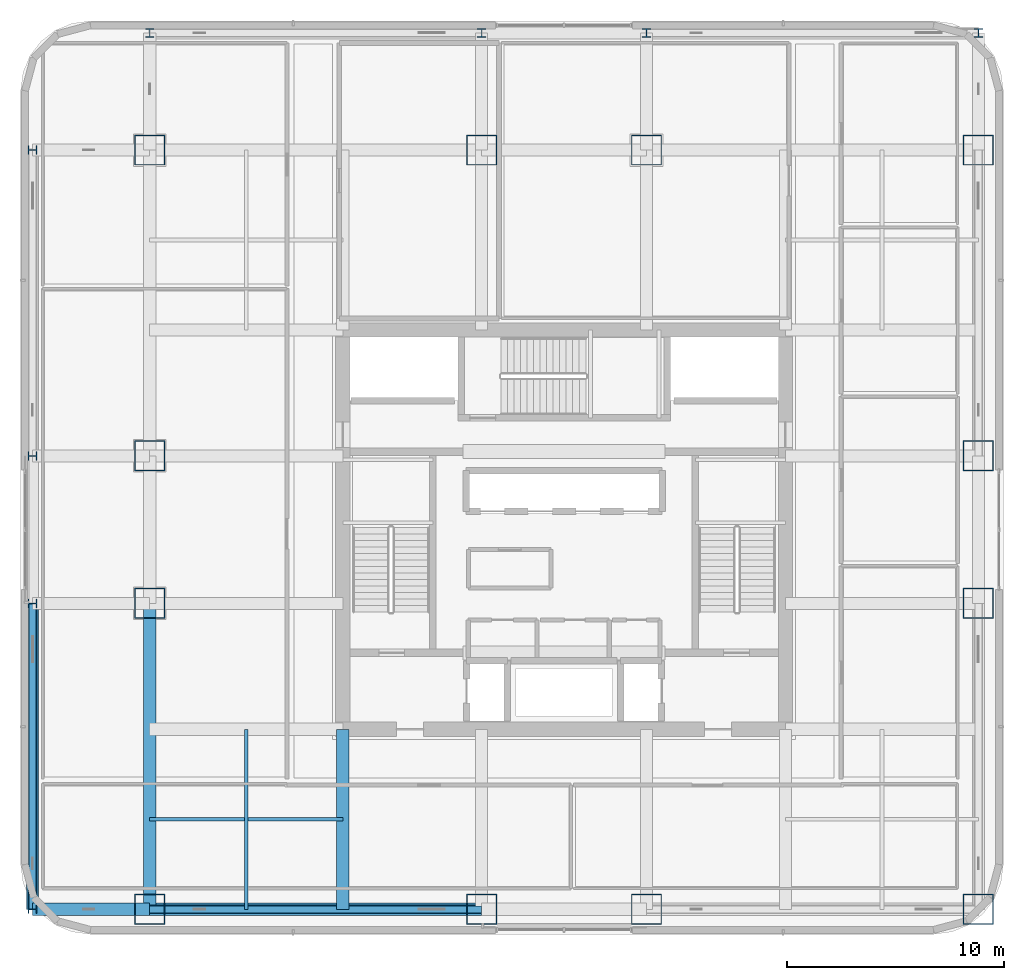
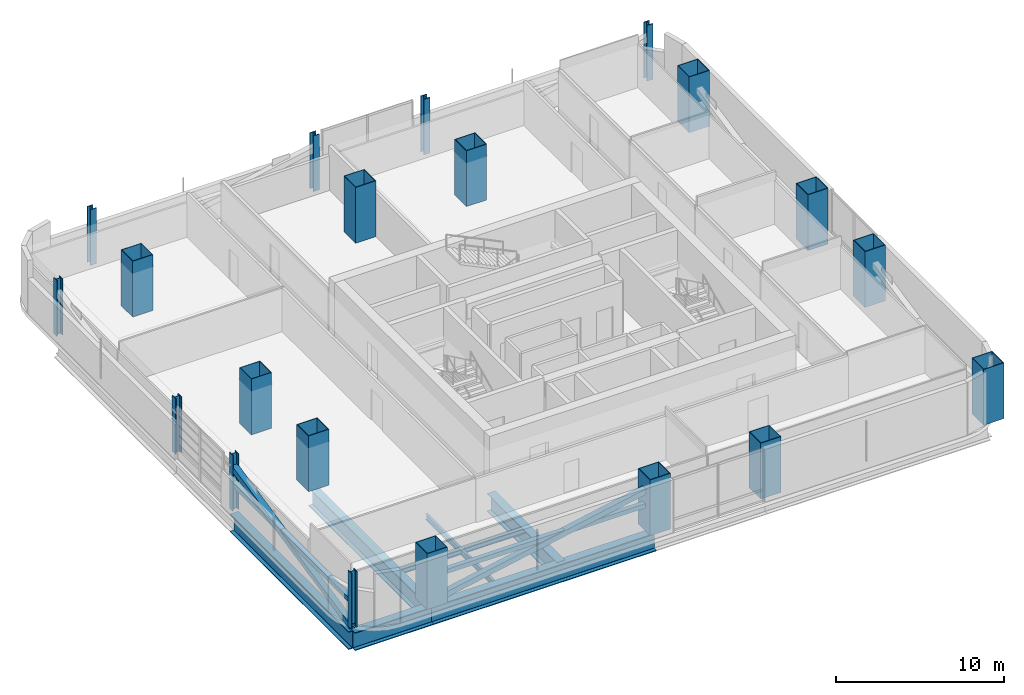
# One storey, part 1 of 32: 20 columns, 7 beams, 4 members.
"""IFC4 building model written with IfcOpenShell, lengths in metres."""

from ifc_helpers import new_model, si_unit, direction, frame, origin, origin_2d, place, context, subcontext, project, spatial, hollow_rectangle, i_section, extrude, material, material_profile, profile_set, type_object, element, save


model = new_model("IFC4")

# Units and contexts
model_context = context("Model", 3, precision=1e-05, world=origin(), true_north=direction((0.0, 1.0)))
body_context = subcontext(model_context, "Body", "Model", "MODEL_VIEW")
ifc_project = project(units=[si_unit("LENGTHUNIT", "METRE"), si_unit("AREAUNIT", "SQUARE_METRE"), si_unit("VOLUMEUNIT", "CUBIC_METRE"), si_unit("PLANEANGLEUNIT", "RADIAN"), si_unit("MASSUNIT", "GRAM", prefix="KILO")], contexts=[model_context])

# Site, building, storey
site_placement = place(None, origin())
site = spatial("IfcSite", under=ifc_project, at=site_placement, CompositionType="ELEMENT")
building_placement = place(site_placement, origin())
building = spatial("IfcBuilding", under=site, at=building_placement, Name="Punatoya Terracotta Tower", CompositionType="ELEMENT")
storey_placement = place(building_placement, frame((0.0, 0.0, 139.800048828125)))
storey = spatial("IfcBuildingStorey", under=building, at=storey_placement, Name="L32", CompositionType="ELEMENT", Elevation=139.800048828125)

# Columns
ifc_material_1 = material(Name="Steel S460", Category="steel")
ifc_material_profile_1 = material_profile(ifc_material_1, i_section(OverallWidth=0.408935546875, OverallDepth=0.425048828125, WebThickness=0.031982421875, FlangeThickness=0.052001953125, FilletRadius=0.01806640625, at=origin_2d()))
ifc_profile_set_1 = profile_set([ifc_material_profile_1], Name="Steel S460")
column_type_1 = type_object("IfcColumnType", Name="COL-EX-M2", PredefinedType="COLUMN", material=ifc_profile_set_1)
for number, where, z_axis, x_axis, name in (
    (1, (-19.10009765625, 22.89990234375, 0.0), (0.0, 0.0, 1.0), (1.0, 0.0, 0.0), "L32 Exoskeleton Perimeter Column N1"),
    (2, (-3.800048828125, 22.89990234375, 0.0), (0.0, 0.0, 1.0), (1.0, 0.0, 0.0), "L32 Exoskeleton Perimeter Column N2"),
    (3, (3.800048828125, 22.89990234375, 0.0), (0.0, 0.0, 1.0), (1.0, 0.0, 0.0), "L32 Exoskeleton Perimeter Column N3"),
    (4, (19.10009765625, 22.89990234375, 0.0), (0.0, 0.0, 1.0), (1.0, 0.0, 0.0), "L32 Exoskeleton Perimeter Column N4"),
    (5, (-24.5, -17.5, 0.0), (0.0, 0.0, 1.0), (0.0, 1.0, 0.0), "L32 Exoskeleton Perimeter Column W1"),
    (6, (-24.5, -3.39990234375, 0.0), (0.0, 0.0, 1.0), (0.0, 1.0, 0.0), "L32 Exoskeleton Perimeter Column W2"),
    (7, (-24.5, 3.39990234375, 0.0), (0.0, 0.0, 1.0), (0.0, 1.0, 0.0), "L32 Exoskeleton Perimeter Column W3"),
    (8, (-24.5, 17.5, 0.0), (0.0, 0.0, 1.0), (0.0, 1.0, 0.0), "L32 Exoskeleton Perimeter Column W4"),
):
    element("IfcColumn", number, at=place(storey_placement, frame(where, z_axis=z_axis, x_axis=x_axis)), inside=storey, type_object=column_type_1, Name=name, PredefinedType="COLUMN", context=body_context, shape_type="SweptSolid", body=[
        extrude(i_section(OverallWidth=0.408935546875, OverallDepth=0.425048828125, WebThickness=0.031982421875, FlangeThickness=0.052001953125, FilletRadius=0.01806640625, at=origin_2d()), origin(), (0.0, 0.0, 1.0), 4.0478515625),
    ])
ifc_material_profile_2 = material_profile(ifc_material_1, hollow_rectangle(XDim=1.39990234375, YDim=1.39990234375, WallThickness=0.0419921875, at=origin_2d()))
ifc_profile_set_2 = profile_set([ifc_material_profile_2], Name="Steel S460")
column_type_2 = type_object("IfcColumnType", Name="COL-MC-Z2", PredefinedType="COLUMN", material=ifc_profile_set_2)
for number, where, z_axis, x_axis, name in (
    (9, (-19.10009765625, -17.5, 0.0), (0.0, 0.0, 1.0), (1.0, 0.0, 0.0), "L32 Composite Mega-Column MC-01 (3-B)"),
    (10, (-3.800048828125, -17.5, 0.0), (0.0, 0.0, 1.0), (1.0, 0.0, 0.0), "L32 Composite Mega-Column MC-02 (5-B)"),
    (11, (3.800048828125, -17.5, 0.0), (0.0, 0.0, 1.0), (1.0, 0.0, 0.0), "L32 Composite Mega-Column MC-03 (7-B)"),
    (12, (19.10009765625, -17.5, 0.0), (0.0, 0.0, 1.0), (1.0, 0.0, 0.0), "L32 Composite Mega-Column MC-04 (9-B)"),
    (13, (19.10009765625, -3.39990234375, 0.0), (0.0, 0.0, 1.0), (1.0, 0.0, 0.0), "L32 Composite Mega-Column MC-05 (9-D)"),
    (14, (19.10009765625, 3.39990234375, 0.0), (0.0, 0.0, 1.0), (1.0, 0.0, 0.0), "L32 Composite Mega-Column MC-06 (9-E)"),
    (15, (19.10009765625, 17.5, 0.0), (0.0, 0.0, 1.0), (1.0, 0.0, 0.0), "L32 Composite Mega-Column MC-07 (9-G)"),
    (16, (3.800048828125, 17.5, 0.0), (0.0, 0.0, 1.0), (1.0, 0.0, 0.0), "L32 Composite Mega-Column MC-08 (7-G)"),
    (17, (-3.800048828125, 17.5, 0.0), (0.0, 0.0, 1.0), (1.0, 0.0, 0.0), "L32 Composite Mega-Column MC-09 (5-G)"),
    (18, (-19.10009765625, 17.5, 0.0), (0.0, 0.0, 1.0), (1.0, 0.0, 0.0), "L32 Composite Mega-Column MC-10 (3-G)"),
    (19, (-19.10009765625, 3.39990234375, 0.0), (0.0, 0.0, 1.0), (1.0, 0.0, 0.0), "L32 Composite Mega-Column MC-11 (3-E)"),
    (20, (-19.10009765625, -3.39990234375, 0.0), (0.0, 0.0, 1.0), (1.0, 0.0, 0.0), "L32 Composite Mega-Column MC-12 (3-D)"),
):
    element("IfcColumn", number, at=place(storey_placement, frame(where, z_axis=z_axis, x_axis=x_axis)), inside=storey, type_object=column_type_2, Name=name, PredefinedType="COLUMN", context=body_context, shape_type="SweptSolid", body=[
        extrude(hollow_rectangle(XDim=1.39990234375, YDim=1.39990234375, WallThickness=0.0419921875, at=origin_2d()), origin(), (0.0, 0.0, 1.0), 4.050048828125),
    ])

# Beams
ifc_material_2 = material(Name="Steel S355", Category="steel")
ifc_material_profile_3 = material_profile(ifc_material_2, i_section(OverallWidth=0.179931640625, OverallDepth=0.39990234375, WebThickness=0.008544921875, FlangeThickness=0.013427734375, FilletRadius=0.01806640625, at=origin_2d()))
ifc_profile_set_3 = profile_set([ifc_material_profile_3], Name="Steel S355")
beam_type_1 = type_object("IfcBeamType", Name="BM-SEC-400", PredefinedType="JOIST", material=ifc_profile_set_3)
beam_1_placement = place(storey_placement, frame((-19.10009765625, -13.35009765625, -0.47998046875), z_axis=(1.0, 0.0, 0.0), x_axis=(0.0, 1.0, 0.0)))
element("IfcBeam", 21, at=beam_1_placement, inside=storey, type_object=beam_type_1, Name="BM-L32-SJS-1", PredefinedType="JOIST", context=body_context, shape_type="SweptSolid", body=[
    extrude(i_section(OverallWidth=0.179931640625, OverallDepth=0.39990234375, WebThickness=0.008544921875, FlangeThickness=0.013427734375, FilletRadius=0.01806640625, at=origin_2d()), origin(), (0.0, 0.0, 1.0), 8.900146484375),
])
beam_2_placement = place(storey_placement, frame((-14.64990234375, -17.5, -0.47998046875), z_axis=(0.0, 1.0, 0.0), x_axis=(-1.0, 0.0, 0.0)))
element("IfcBeam", 22, at=beam_2_placement, inside=storey, type_object=beam_type_1, Name="BM-L32-SJW-1", PredefinedType="JOIST", context=body_context, shape_type="SweptSolid", body=[
    extrude(i_section(OverallWidth=0.179931640625, OverallDepth=0.39990234375, WebThickness=0.008544921875, FlangeThickness=0.013427734375, FilletRadius=0.01806640625, at=origin_2d()), origin(), (0.0, 0.0, 1.0), 8.300048828125),
])
ifc_material_profile_4 = material_profile(ifc_material_1, i_section(OverallWidth=0.56005859375, OverallDepth=1.320068359375, WebThickness=0.035888671875, FlangeThickness=0.054931640625, FilletRadius=0.01806640625, at=origin_2d()))
ifc_profile_set_4 = profile_set([ifc_material_profile_4], Name="Steel S460")
beam_type_2 = type_object("IfcBeamType", Name="BM-TG-BLK", PredefinedType="BEAM", material=ifc_profile_set_4)
beam_3_placement = place(storey_placement, frame((-19.10009765625, -17.5, -0.93994140625), z_axis=(1.0, 0.0, 0.0), x_axis=(0.0, 1.0, 0.0)))
element("IfcBeam", 23, at=beam_3_placement, inside=storey, type_object=beam_type_2, Name="BM-L32-RG-S1", PredefinedType="BEAM", context=body_context, shape_type="SweptSolid", body=[
    extrude(i_section(OverallWidth=0.56005859375, OverallDepth=1.320068359375, WebThickness=0.035888671875, FlangeThickness=0.054931640625, FilletRadius=0.01806640625, at=origin_2d()), origin(), (0.0, 0.0, 1.0), 15.300048828125),
])
beam_4_placement = place(storey_placement, frame((-19.10009765625, -17.5, -0.93994140625), z_axis=(0.0, 1.0, 0.0), x_axis=(-1.0, 0.0, 0.0)))
element("IfcBeam", 24, at=beam_4_placement, inside=storey, type_object=beam_type_2, Name="BM-L32-RG-W1", PredefinedType="BEAM", context=body_context, shape_type="SweptSolid", body=[
    extrude(i_section(OverallWidth=0.56005859375, OverallDepth=1.320068359375, WebThickness=0.035888671875, FlangeThickness=0.054931640625, FilletRadius=0.01806640625, at=origin_2d()), origin(), (0.0, 0.0, 1.0), 14.10009765625),
])
beam_5_placement = place(storey_placement, frame((-10.199951171875, -17.5, -0.93994140625), z_axis=(0.0, 1.0, 0.0), x_axis=(-1.0, 0.0, 0.0)))
element("IfcBeam", 25, at=beam_5_placement, inside=storey, type_object=beam_type_2, Name="BM-L32-PR-S1", PredefinedType="BEAM", context=body_context, shape_type="SweptSolid", body=[
    extrude(i_section(OverallWidth=0.56005859375, OverallDepth=1.320068359375, WebThickness=0.035888671875, FlangeThickness=0.054931640625, FilletRadius=0.01806640625, at=origin_2d()), origin(), (0.0, 0.0, 1.0), 8.300048828125),
])
beam_6_placement = place(storey_placement, frame((-24.5, -17.5, -0.93994140625), z_axis=(1.0, 0.0, 0.0), x_axis=(0.0, 1.0, 0.0)))
element("IfcBeam", 26, at=beam_6_placement, inside=storey, type_object=beam_type_2, Name="BM-L32-CANT-W1", PredefinedType="BEAM", context=body_context, shape_type="SweptSolid", body=[
    extrude(i_section(OverallWidth=0.56005859375, OverallDepth=1.320068359375, WebThickness=0.035888671875, FlangeThickness=0.054931640625, FilletRadius=0.01806640625, at=origin_2d()), origin(), (0.0, 0.0, 1.0), 5.39990234375),
])
beam_7_placement = place(storey_placement, frame((-24.5, -17.5, -0.93994140625), z_axis=(0.0, 1.0, 0.0), x_axis=(-1.0, 0.0, 0.0)))
element("IfcBeam", 27, at=beam_7_placement, inside=storey, type_object=beam_type_2, Name="BM-L32-PER-W1", PredefinedType="BEAM", context=body_context, shape_type="SweptSolid", body=[
    extrude(i_section(OverallWidth=0.56005859375, OverallDepth=1.320068359375, WebThickness=0.035888671875, FlangeThickness=0.054931640625, FilletRadius=0.01806640625, at=origin_2d()), origin(), (0.0, 0.0, 1.0), 14.10009765625),
])

# Members
ifc_material_profile_5 = material_profile(ifc_material_1, hollow_rectangle(XDim=0.320068359375, YDim=0.320068359375, WallThickness=0.01806640625, at=origin_2d()))
ifc_profile_set_5 = profile_set([ifc_material_profile_5], Name="Steel S460")
member_type_1 = type_object("IfcMemberType", Name="MEM-CHD-320", PredefinedType="CHORD", material=ifc_profile_set_5)
member_1_placement = place(storey_placement, frame((-19.10009765625, -17.5, 1.849853515625), z_axis=(1.0, 0.0, 0.0), x_axis=(0.0, 1.0, 0.0)))
element("IfcMember", 28, at=member_1_placement, inside=storey, type_object=member_type_1, Name="L32 Exoskeleton Belt Truss Tie Chord S1", PredefinedType="CHORD", context=body_context, shape_type="SweptSolid", body=[
    extrude(hollow_rectangle(XDim=0.320068359375, YDim=0.320068359375, WallThickness=0.01806640625, at=origin_2d()), origin(), (0.0, 0.0, 1.0), 15.300048828125),
])
member_2_placement = place(storey_placement, frame((-24.5, -17.5, 1.849853515625), z_axis=(0.0, 1.0, 0.0), x_axis=(-1.0, 0.0, 0.0)))
element("IfcMember", 29, at=member_2_placement, inside=storey, type_object=member_type_1, Name="L32 Exoskeleton Belt Truss Tie Chord W1", PredefinedType="CHORD", context=body_context, shape_type="SweptSolid", body=[
    extrude(hollow_rectangle(XDim=0.320068359375, YDim=0.320068359375, WallThickness=0.01806640625, at=origin_2d()), origin(), (0.0, 0.0, 1.0), 14.10009765625),
])
ifc_material_profile_6 = material_profile(ifc_material_1, hollow_rectangle(XDim=0.39990234375, YDim=0.39990234375, WallThickness=0.02197265625, at=origin_2d()))
ifc_profile_set_6 = profile_set([ifc_material_profile_6], Name="Steel S460")
member_type_2 = type_object("IfcMemberType", Name="MEM-EXO-400", PredefinedType="BRACE", material=ifc_profile_set_6)
member_3_placement = place(storey_placement, frame((-19.10009765625, -17.5, 0.02001953125), z_axis=(0.981192463394, 0.0, 0.193031991594), x_axis=(0.0, 1.0, 0.0)))
element("IfcMember", 30, at=member_3_placement, inside=storey, type_object=member_type_2, Name="L32 Exoskeleton Belt Brace S1", PredefinedType="BRACE", context=body_context, shape_type="SweptSolid", body=[
    extrude(hollow_rectangle(XDim=0.39990234375, YDim=0.39990234375, WallThickness=0.02197265625, at=origin_2d()), origin(), (0.0, 0.0, 1.0), 15.59326171875),
])
member_4_placement = place(storey_placement, frame((-24.5, -17.5, 0.02001953125), z_axis=(0.0, 0.977964679292, 0.208770414707), x_axis=(-1.0, 0.0, 0.0)))
element("IfcMember", 31, at=member_4_placement, inside=storey, type_object=member_type_2, Name="L32 Exoskeleton Belt Brace W1", PredefinedType="BRACE", context=body_context, shape_type="SweptSolid", body=[
    extrude(hollow_rectangle(XDim=0.39990234375, YDim=0.39990234375, WallThickness=0.02197265625, at=origin_2d()), origin(), (0.0, 0.0, 1.0), 14.417724609375),
])

save(model, "model.ifc")
